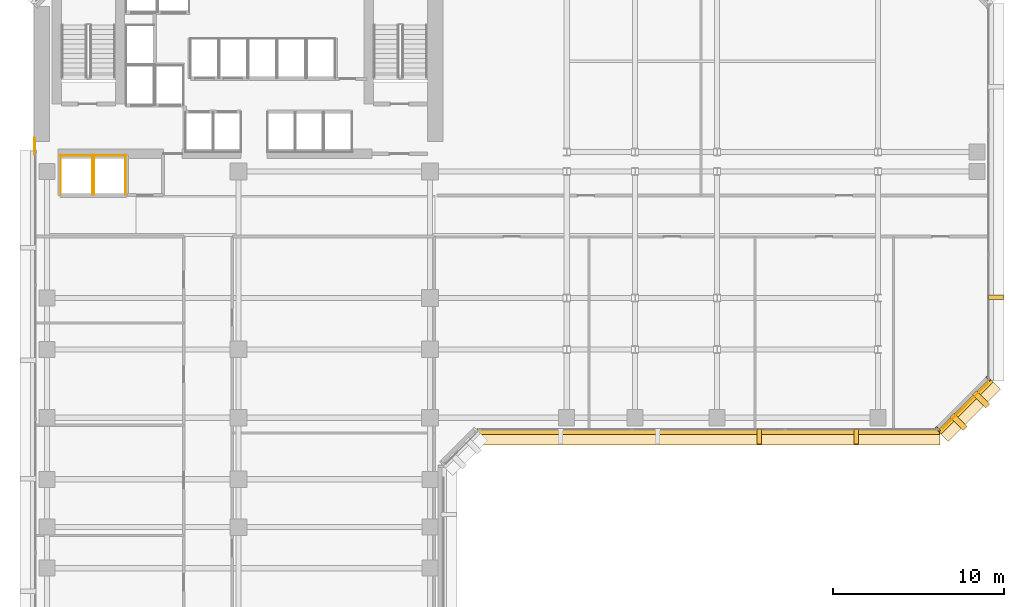
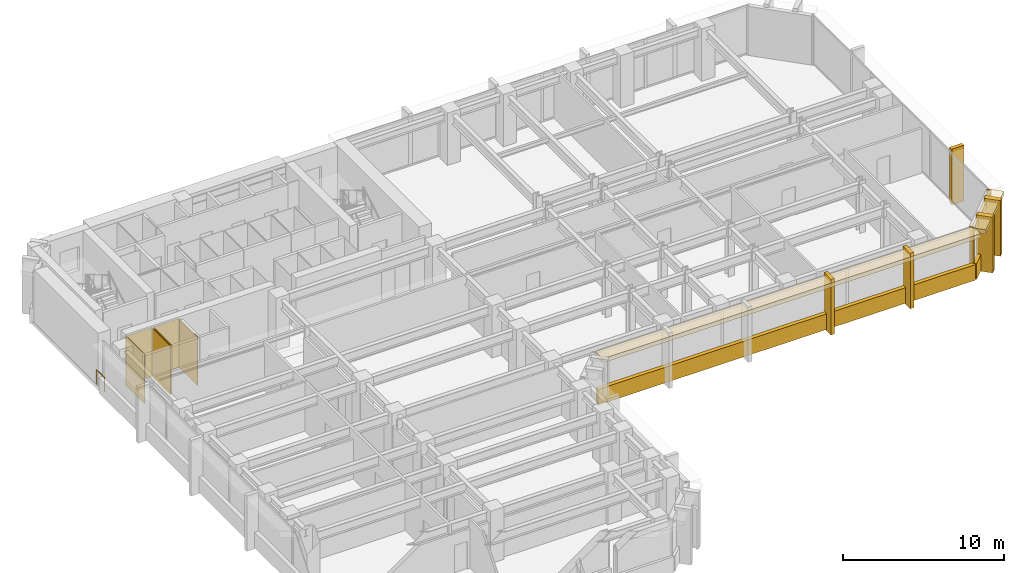
# One storey, part 10 of 13: 18 coverings, 1 railing.
"""IFC4 building model written with IfcOpenShell, lengths in metres."""

from ifc_helpers import new_model, si_unit, direction, frame, origin, origin_2d, place, context, subcontext, project, spatial, polyline, rectangle, circle, outline, extrude, material, layer, layer_set, type_object, element, save


model = new_model("IFC4")

# Units and contexts
model_context = context("Model", 3, precision=1e-05, world=origin(), true_north=direction((0.0, 1.0)))
body_context = subcontext(model_context, "Body", "Model", "MODEL_VIEW")
ifc_project = project(units=[si_unit("LENGTHUNIT", "METRE"), si_unit("AREAUNIT", "SQUARE_METRE"), si_unit("VOLUMEUNIT", "CUBIC_METRE"), si_unit("PLANEANGLEUNIT", "RADIAN"), si_unit("MASSUNIT", "GRAM", prefix="KILO")], contexts=[model_context])

# Site, building, storey
site_placement = place(None, origin())
site = spatial("IfcSite", under=ifc_project, at=site_placement, CompositionType="ELEMENT")
building_placement = place(site_placement, origin())
building = spatial("IfcBuilding", under=site, at=building_placement, Name="Kefirva Bronze Tower", CompositionType="ELEMENT")
storey_placement = place(building_placement, frame((0.0, 0.0, 102.6298828125)))
storey = spatial("IfcBuildingStorey", under=building, at=storey_placement, Name="L24", CompositionType="ELEMENT", Elevation=102.6298828125)

# Coverings
ifc_material_1 = material(Name="Bronze anodised aluminium", Category="aluminium")
ifc_layer_1 = layer(ifc_material_1, 0.02001953125, Name="Bronze anodised aluminium")
ifc_layer_set_1 = layer_set([ifc_layer_1], Name="Bronze anodised aluminium")
covering_type_1 = type_object("IfcCoveringType", Name="Anodised Bronze Spandrel Cladding 20mm", PredefinedType="CLADDING", material=ifc_layer_set_1)
covering_1_placement = place(storey_placement, frame((39.5, 17.9599609375, -0.15966796875), z_axis=(0.0, 0.0, 1.0), x_axis=(1.0, 0.0, 0.0)))
element("IfcCovering", 1, at=covering_1_placement, inside=storey, type_object=covering_type_1, Name="L24 Streamline Horizontal Spandrel Band 8", PredefinedType="CLADDING", context=body_context, shape_type="SweptSolid", body=[
    extrude(rectangle(XDim=27.0400390625, YDim=0.280029296875, at=origin_2d()), origin(), (0.0, 0.0, 1.0), 1.179931640625),
])
covering_2_placement = place(storey_placement, frame((54.507080078125, 19.492919921875, 3.290283203125), z_axis=(0.0, 0.0, 1.0), x_axis=(0.707106781187, 0.707106781187, 0.0)))
element("IfcCovering", 2, at=covering_2_placement, inside=storey, type_object=covering_type_1, Name="L24 Bronze Spandrel Cladding 7", PredefinedType="CLADDING", context=body_context, shape_type="SweptSolid", body=[
    extrude(rectangle(XDim=3.719482421875, YDim=0.02001953125, at=origin_2d()), origin(), (0.0, 0.0, 1.0), 0.39990234375),
])
for number, where, z_axis, x_axis, name in (
    (3, (52.91162109375, 18.137939453125, 0.000244140625), (0.0, 0.0, 1.0), (0.707106781187, 0.707106781187, 0.0), "L24 Facade Joint Closure Panel 7S"),
    (4, (55.862060546875, 21.08837890625, 0.000244140625), (0.0, 0.0, 1.0), (0.707106781187, 0.707106781187, 0.0), "L24 Facade Joint Closure Panel 7E"),
):
    element("IfcCovering", number, at=place(storey_placement, frame(where, z_axis=z_axis, x_axis=x_axis)), inside=storey, type_object=covering_type_1, Name=name, PredefinedType="CLADDING", context=body_context, shape_type="SweptSolid", body=[
        extrude(rectangle(XDim=0.10009765625, YDim=0.320068359375, at=origin_2d()), origin(), (0.0, 0.0, 1.0), 3.7099609375),
    ])
covering_3_placement = place(storey_placement, frame((54.5283203125, 19.4716796875, -0.15966796875), z_axis=(0.0, 0.0, 1.0), x_axis=(0.707106781187, 0.707106781187, 0.0)))
element("IfcCovering", 5, at=covering_3_placement, inside=storey, type_object=covering_type_1, Name="L24 Streamline Horizontal Spandrel Band 9", PredefinedType="CLADDING", context=body_context, shape_type="SweptSolid", body=[
    extrude(rectangle(XDim=4.28271484375, YDim=0.280029296875, at=origin_2d()), origin(), (0.0, 0.0, 1.0), 1.179931640625),
])
covering_4_placement = place(storey_placement, origin())
element("IfcCovering", 6, at=covering_4_placement, inside=storey, type_object=covering_type_1, Name="L24 Lift OB1 Hoistway Liner N", PredefinedType="CLADDING", context=body_context, shape_type="SweptSolid", body=[
    extrude(outline(polyline([(1.580078125, 34.139892578125), (3.469970703125, 34.139892578125), (3.469970703125, 34.159912109375), (1.580078125, 34.159912109375), (1.580078125, 34.139892578125)])), origin(), (0.0, 0.0, 1.0), 3.710205078125),
])
covering_5_placement = place(storey_placement, origin())
element("IfcCovering", 7, at=covering_5_placement, inside=storey, type_object=covering_type_1, Name="L24 Lift OB1 Hoistway Liner W", PredefinedType="CLADDING", context=body_context, shape_type="SweptSolid", body=[
    extrude(outline(polyline([(1.590087890625, 31.830078125), (1.610107421875, 31.830078125), (1.610107421875, 34.169921875), (1.590087890625, 34.169921875), (1.590087890625, 31.830078125)])), origin(), (0.0, 0.0, 1.0), 3.710205078125),
])
covering_6_placement = place(storey_placement, origin())
element("IfcCovering", 8, at=covering_6_placement, inside=storey, type_object=covering_type_1, Name="L24 Lift OB1 Hoistway Liner E", PredefinedType="CLADDING", context=body_context, shape_type="SweptSolid", body=[
    extrude(outline(polyline([(3.43994140625, 31.830078125), (3.4599609375, 31.830078125), (3.4599609375, 34.169921875), (3.43994140625, 34.169921875), (3.43994140625, 31.830078125)])), origin(), (0.0, 0.0, 1.0), 3.710205078125),
])
covering_7_placement = place(storey_placement, origin())
element("IfcCovering", 9, at=covering_7_placement, inside=storey, type_object=covering_type_1, Name="L24 Lift OB2 Hoistway Liner N", PredefinedType="CLADDING", context=body_context, shape_type="SweptSolid", body=[
    extrude(outline(polyline([(3.530029296875, 34.139892578125), (5.419921875, 34.139892578125), (5.419921875, 34.159912109375), (3.530029296875, 34.159912109375), (3.530029296875, 34.139892578125)])), origin(), (0.0, 0.0, 1.0), 3.710205078125),
])
covering_8_placement = place(storey_placement, origin())
element("IfcCovering", 10, at=covering_8_placement, inside=storey, type_object=covering_type_1, Name="L24 Lift OB2 Hoistway Liner W", PredefinedType="CLADDING", context=body_context, shape_type="SweptSolid", body=[
    extrude(outline(polyline([(3.5400390625, 31.830078125), (3.56005859375, 31.830078125), (3.56005859375, 34.169921875), (3.5400390625, 34.169921875), (3.5400390625, 31.830078125)])), origin(), (0.0, 0.0, 1.0), 3.710205078125),
])
covering_9_placement = place(storey_placement, origin())
element("IfcCovering", 11, at=covering_9_placement, inside=storey, type_object=covering_type_1, Name="L24 Lift OB2 Hoistway Liner E", PredefinedType="CLADDING", context=body_context, shape_type="SweptSolid", body=[
    extrude(outline(polyline([(5.389892578125, 31.830078125), (5.409912109375, 31.830078125), (5.409912109375, 34.169921875), (5.389892578125, 34.169921875), (5.389892578125, 31.830078125)])), origin(), (0.0, 0.0, 1.0), 3.710205078125),
])

# Railing
ifc_material_2 = material(Name="Stainless steel 316", Category="steel")
railing_type = type_object("IfcRailingType", Name="Interior Stair Guardrail 1100mm", PredefinedType="GUARDRAIL", material=ifc_material_2)
railing_placement = place(storey_placement, frame((0.080078125, 34.199951171875, 0.0)))
element("IfcRailing", 12, at=railing_placement, inside=storey, type_object=railing_type, Name="L24 West Core Junction Guardrail", PredefinedType="GUARDRAIL", context=body_context, shape_type="SweptSolid", body=[
    extrude(circle(Radius=0.02392578125, at=origin_2d()), frame((0.0, 0.0, 1.076171875), z_axis=(0.0, 1.0, 0.0), x_axis=(-1.0, 0.0, 0.0)), (0.0, 0.0, 1.0), 0.949951171875),
    extrude(circle(Radius=0.02099609375, at=origin_2d()), origin(), (0.0, 0.0, 1.0), 1.052001953125),
    extrude(circle(Radius=0.02099609375, at=origin_2d()), frame((0.0, 0.949951171875, 0.0)), (0.0, 0.0, 1.0), 1.052001953125),
])

# Coverings
ifc_layer_2 = layer(ifc_material_1, 0.179931640625, Name="Bronze anodised aluminium")
ifc_layer_set_2 = layer_set([ifc_layer_2], Name="Bronze anodised aluminium")
covering_type_2 = type_object("IfcCoveringType", Name="Streamline Bronze Sunshade Eyebrow Cladding 180mm", PredefinedType="CLADDING", material=ifc_layer_set_2)
covering_10_placement = place(storey_placement, frame((39.5, 17.68994140625, 3.39013671875), z_axis=(0.0, 0.0, 1.0), x_axis=(1.0, 0.0, 0.0)))
element("IfcCovering", 13, at=covering_10_placement, inside=storey, type_object=covering_type_2, Name="L24 Streamline Bronze Sunshade Eyebrow 8", PredefinedType="CLADDING", context=body_context, shape_type="SweptSolid", body=[
    extrude(rectangle(XDim=27.080078125, YDim=0.93994140625, at=origin_2d()), origin(), (0.0, 0.0, 1.0), 0.320068359375),
])
covering_11_placement = place(storey_placement, frame((54.71923828125, 19.28076171875, 3.39013671875), z_axis=(0.0, 0.0, 1.0), x_axis=(0.707106781187, 0.707106781187, 0.0)))
element("IfcCovering", 14, at=covering_11_placement, inside=storey, type_object=covering_type_2, Name="L24 Streamline Bronze Sunshade Eyebrow 9", PredefinedType="CLADDING", context=body_context, shape_type="SweptSolid", body=[
    extrude(rectangle(XDim=4.322509765625, YDim=0.93994140625, at=origin_2d()), origin(), (0.0, 0.0, 1.0), 0.320068359375),
])
ifc_layer_3 = layer(ifc_material_1, 0.260009765625, Name="Bronze anodised aluminium")
ifc_layer_set_3 = layer_set([ifc_layer_3], Name="Bronze anodised aluminium")
covering_type_3 = type_object("IfcCoveringType", Name="Unbroken Bronze Buttress Fin Cladding 260mm", PredefinedType="CLADDING", material=ifc_layer_set_3)
for number, where, z_axis, x_axis, name in (
    (15, (42.469970703125, 17.699951171875, -0.249755859375), (0.0, 0.0, 1.0), (1.0, 0.0, 0.0), "L24 Unbroken Vertical Bronze Rib Fin 11"),
    (16, (48.139892578125, 17.699951171875, -0.249755859375), (0.0, 0.0, 1.0), (1.0, 0.0, 0.0), "L24 Unbroken Vertical Bronze Rib Fin 12"),
):
    element("IfcCovering", number, at=place(storey_placement, frame(where, z_axis=z_axis, x_axis=x_axis)), inside=storey, type_object=covering_type_3, Name=name, PredefinedType="CLADDING", context=body_context, shape_type="SweptSolid", body=[
        extrude(rectangle(XDim=0.260009765625, YDim=0.8798828125, at=origin_2d()), origin(), (0.0, 0.0, 1.0), 4.2099609375),
    ])
for number, where, z_axis, x_axis, name in (
    (17, (54.122802734375, 18.55712890625, -0.249755859375), (0.0, 0.0, 1.0), (0.707106781187, 0.707106781187, 0.0), "L24 Chamfered Corner Buttress Fin Cladding 13"),
    (18, (55.44287109375, 19.877197265625, -0.249755859375), (0.0, 0.0, 1.0), (0.707106781187, 0.707106781187, 0.0), "L24 Chamfered Corner Buttress Fin Cladding 14"),
):
    element("IfcCovering", number, at=place(storey_placement, frame(where, z_axis=z_axis, x_axis=x_axis)), inside=storey, type_object=covering_type_3, Name=name, PredefinedType="CLADDING", context=body_context, shape_type="SweptSolid", body=[
        extrude(rectangle(XDim=0.340087890625, YDim=1.080078125, at=origin_2d()), origin(), (0.0, 0.0, 1.0), 4.2099609375),
    ])
covering_12_placement = place(storey_placement, frame((56.300048828125, 25.840087890625, -0.249755859375), z_axis=(0.0, 0.0, 1.0), x_axis=(0.0, 1.0, 0.0)))
element("IfcCovering", 19, at=covering_12_placement, inside=storey, type_object=covering_type_3, Name="L24 Unbroken Vertical Bronze Rib Fin 15", PredefinedType="CLADDING", context=body_context, shape_type="SweptSolid", body=[
    extrude(rectangle(XDim=0.260009765625, YDim=0.8798828125, at=origin_2d()), origin(), (0.0, 0.0, 1.0), 4.2099609375),
])

save(model, "model.ifc")
